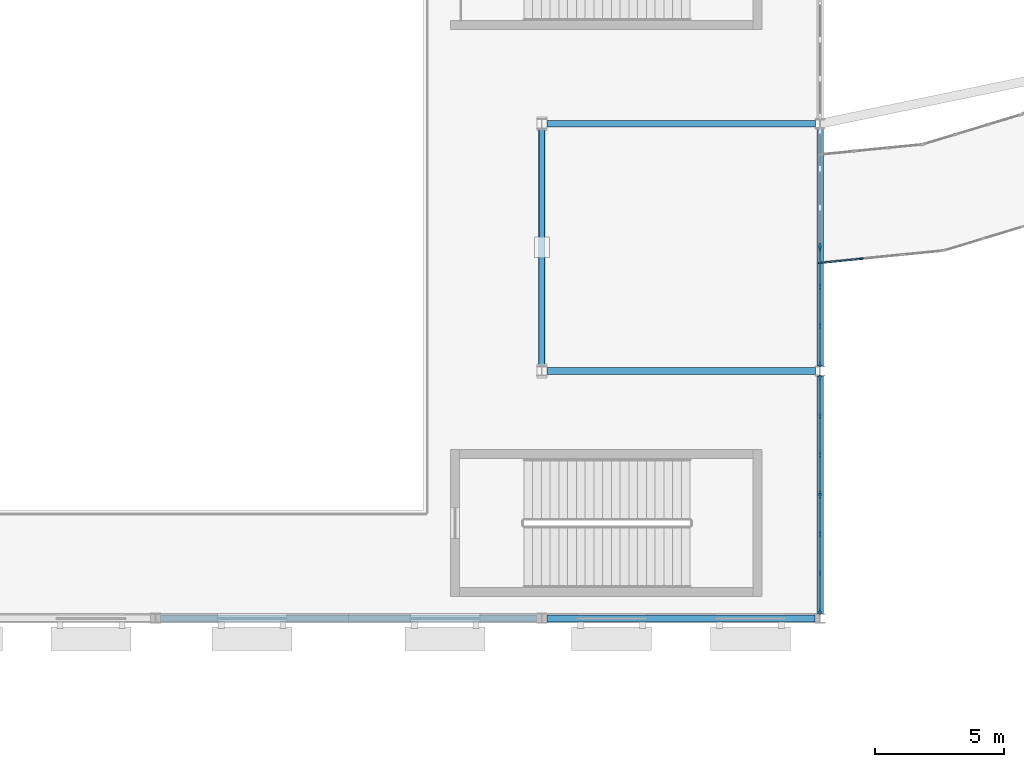
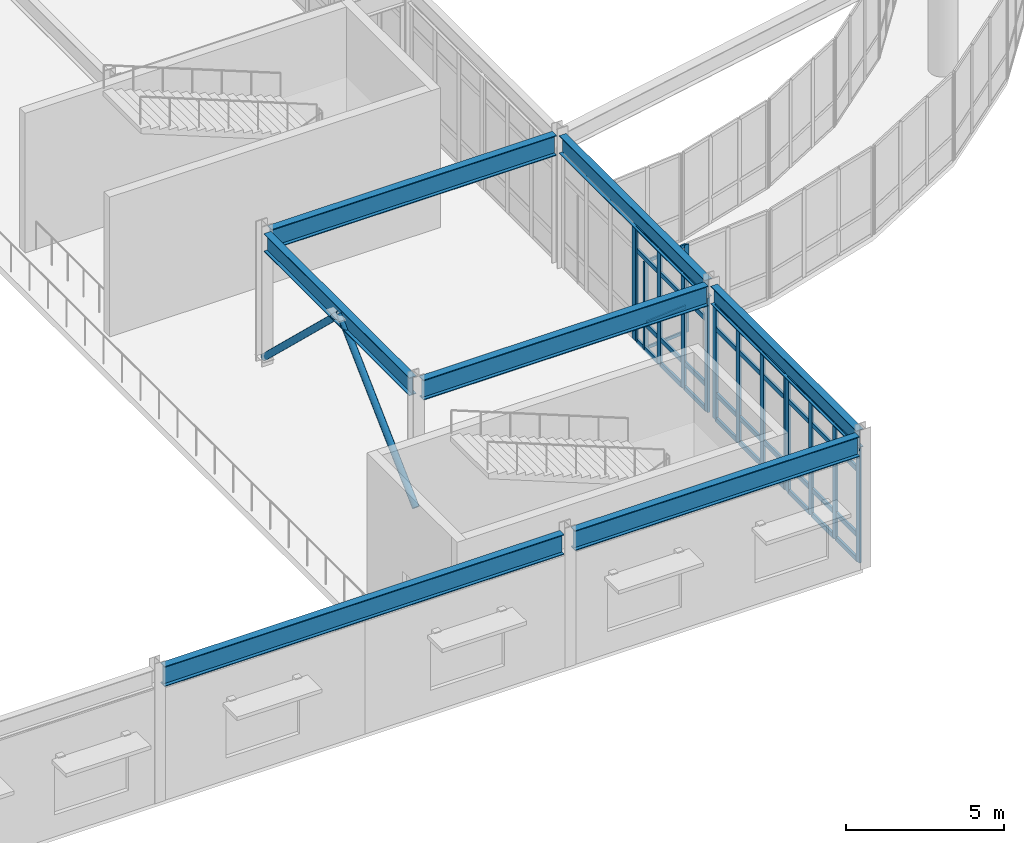
# One storey, part 16 of 72: 56 members, 7 beams, 5 elements without a shape of their own.
"""IFC4 building model written with IfcOpenShell, lengths in metres."""

from ifc_helpers import new_model, si_unit, direction, frame, origin, origin_2d, place, context, subcontext, project, spatial, rectangle, hollow_circle, i_section, extrude, material, material_profile, profile_set, type_object, element, aggregate, save


model = new_model("IFC4")

# Units and contexts
model_context = context("Model", 3, precision=1e-05, world=origin(), true_north=direction((0.0, 1.0)))
body_context = subcontext(model_context, "Body", "Model", "MODEL_VIEW")
ifc_project = project(units=[si_unit("LENGTHUNIT", "METRE"), si_unit("AREAUNIT", "SQUARE_METRE"), si_unit("VOLUMEUNIT", "CUBIC_METRE"), si_unit("PLANEANGLEUNIT", "RADIAN"), si_unit("MASSUNIT", "GRAM", prefix="KILO")], contexts=[model_context])

# Site, building, storey
site_placement = place(None, origin())
site = spatial("IfcSite", under=ifc_project, at=site_placement, CompositionType="ELEMENT")
building_placement = place(site_placement, origin())
building = spatial("IfcBuilding", under=site, at=building_placement, Name="Veldera Park Congress Hotel", CompositionType="ELEMENT")
storey_placement = place(building_placement, frame((0.0, 0.0, 5.39990234375)))
storey = spatial("IfcBuildingStorey", under=building, at=storey_placement, Name="L01", CompositionType="ELEMENT", Elevation=5.39990234375)

# Beams
ifc_material_1 = material(Name="Steel ASTM A992 Gr.50", Category="steel")
ifc_material_profile_1 = material_profile(ifc_material_1, i_section(OverallWidth=0.256103515625, OverallDepth=0.693115234375, WebThickness=0.014404296875, FlangeThickness=0.023681640625, at=origin_2d()), Name="W27X114")
ifc_profile_set_1 = profile_set([ifc_material_profile_1], Name="Steel ASTM A992 Gr.50")
beam_type_1 = type_object("IfcBeamType", Name="BM-W27", PredefinedType="BEAM", material=ifc_profile_set_1)
beam_1_placement = place(storey_placement, frame((-12.39990234375, -11.200439453125, 4.78369140625), z_axis=(0.0, 1.0, 0.0), x_axis=(-1.0, 0.0, 0.0)))
element("IfcBeam", 1, at=beam_1_placement, inside=storey, type_object=beam_type_1, Name="L01 Girder BM-W27 694", PredefinedType="BEAM", context=body_context, shape_type="SweptSolid", body=[
    extrude(i_section(OverallWidth=0.256103515625, OverallDepth=0.693115234375, WebThickness=0.014404296875, FlangeThickness=0.023681640625, at=origin_2d()), origin(), (0.0, 0.0, 1.0), 9.200927734375),
])
beam_2_placement = place(storey_placement, frame((-1.60009765625, -20.8125, 4.78369140625), z_axis=(0.0, 1.0, 0.0), x_axis=(-1.0, 0.0, 0.0)))
element("IfcBeam", 2, at=beam_2_placement, inside=storey, type_object=beam_type_1, Name="L01 Girder BM-W27 700", PredefinedType="BEAM", context=body_context, shape_type="SweptSolid", body=[
    extrude(i_section(OverallWidth=0.256103515625, OverallDepth=0.693115234375, WebThickness=0.014404296875, FlangeThickness=0.023681640625, at=origin_2d()), origin(), (0.0, 0.0, 1.0), 9.2265625),
])
beam_3_placement = place(storey_placement, frame((-1.60009765625, -11.214111328125, 4.78369140625), z_axis=(0.0, 1.0, 0.0), x_axis=(-1.0, 0.0, 0.0)))
element("IfcBeam", 3, at=beam_3_placement, inside=storey, type_object=beam_type_1, Name="L01 Girder BM-W27 701", PredefinedType="BEAM", context=body_context, shape_type="SweptSolid", body=[
    extrude(i_section(OverallWidth=0.256103515625, OverallDepth=0.693115234375, WebThickness=0.014404296875, FlangeThickness=0.023681640625, at=origin_2d()), origin(), (0.0, 0.0, 1.0), 9.22802734375),
])
ifc_material_profile_2 = material_profile(ifc_material_1, i_section(OverallWidth=0.26708984375, OverallDepth=0.779052734375, WebThickness=0.0166015625, FlangeThickness=0.030029296875, at=origin_2d()), Name="W30X148")
ifc_profile_set_2 = profile_set([ifc_material_profile_2], Name="Steel ASTM A992 Gr.50")
beam_type_2 = type_object("IfcBeamType", Name="BM-W30", PredefinedType="BEAM", material=ifc_profile_set_2)
beam_4_placement = place(storey_placement, frame((-27.201904296875, -21.0, 4.740478515625), z_axis=(1.0, 0.0, 0.0), x_axis=(0.0, 1.0, 0.0)))
element("IfcBeam", 4, at=beam_4_placement, inside=storey, type_object=beam_type_2, Name="L01 Girder BM-W30 575", PredefinedType="BEAM", context=body_context, shape_type="SweptSolid", body=[
    extrude(i_section(OverallWidth=0.26708984375, OverallDepth=0.779052734375, WebThickness=0.0166015625, FlangeThickness=0.030029296875, at=origin_2d()), origin(), (0.0, 0.0, 1.0), 14.601318359375),
])
beam_5_placement = place(storey_placement, frame((-12.199462890625, -21.0, 4.740478515625), z_axis=(1.0, 0.0, 0.0), x_axis=(0.0, 1.0, 0.0)))
element("IfcBeam", 5, at=beam_5_placement, inside=storey, type_object=beam_type_2, Name="L01 Girder BM-W30 576", PredefinedType="BEAM", context=body_context, shape_type="SweptSolid", body=[
    extrude(i_section(OverallWidth=0.26708984375, OverallDepth=0.779052734375, WebThickness=0.0166015625, FlangeThickness=0.030029296875, at=origin_2d()), origin(), (0.0, 0.0, 1.0), 10.40234375),
])
for number, where, z_axis, x_axis, name in (
    (6, (-12.199462890625, -11.39990234375, 4.740478515625), (1.0, 0.0, 0.0), (0.0, 1.0, 0.0), "L01 Girder BM-W30 582"),
    (7, (-12.199462890625, -1.800048828125, 4.740478515625), (1.0, 0.0, 0.0), (0.0, 1.0, 0.0), "L01 Girder BM-W30 586"),
):
    element("IfcBeam", number, at=place(storey_placement, frame(where, z_axis=z_axis, x_axis=x_axis)), inside=storey, type_object=beam_type_2, Name=name, PredefinedType="BEAM", context=body_context, shape_type="SweptSolid", body=[
        extrude(i_section(OverallWidth=0.26708984375, OverallDepth=0.779052734375, WebThickness=0.0166015625, FlangeThickness=0.030029296875, at=origin_2d()), origin(), (0.0, 0.0, 1.0), 10.412353515625),
    ])

# Members
ifc_material_2 = material(Name="Steel ASTM A500 Gr.C", Category="steel")
ifc_material_profile_3 = material_profile(ifc_material_2, hollow_circle(Radius=0.122314453125, WallThickness=0.012451171875, at=origin_2d()), Name="CHS 244.5x12.5")
ifc_profile_set_3 = profile_set([ifc_material_profile_3], Name="Steel ASTM A500 Gr.C")
member_type_1 = type_object("IfcMemberType", Name="BRC-CHS244", PredefinedType="BRACE", material=ifc_profile_set_3)
member_1_placement = place(storey_placement, frame((-12.39990234375, -11.39990234375, 0.2001953125), z_axis=(0.0, 0.723215224939, 0.690622717854), x_axis=(-1.0, 0.0, 0.0)))
element("IfcMember", 8, at=member_1_placement, inside=storey, type_object=member_type_1, Name="L01 Chevron Brace 10A", PredefinedType="BRACE", context=body_context, shape_type="SweptSolid", body=[
    extrude(hollow_circle(Radius=0.122314453125, WallThickness=0.012451171875, at=origin_2d()), origin(), (0.0, 0.0, 1.0), 6.63671875),
])
member_2_placement = place(storey_placement, frame((-12.39990234375, -1.800048828125, 0.2001953125), z_axis=(0.0, -0.72323276974, 0.690604344596), x_axis=(1.0, 0.0, 0.0)))
element("IfcMember", 9, at=member_2_placement, inside=storey, type_object=member_type_1, Name="L01 Chevron Brace 10B", PredefinedType="BRACE", context=body_context, shape_type="SweptSolid", body=[
    extrude(hollow_circle(Radius=0.122314453125, WallThickness=0.012451171875, at=origin_2d()), origin(), (0.0, 0.0, 1.0), 6.636962890625),
])

# Curtain wall, members
ifc_material_3 = material(Name="Low-E Triple Insulating Glass Unit (SHGC 0.22)", Category="glass")
curtain_wall_type_1 = type_object("IfcCurtainWallType", Name="CW-BRG", PredefinedType="NOTDEFINED", material=ifc_material_3)
curtain_wall_1_placement = place(storey_placement, origin())
curtain_wall_1 = element("IfcCurtainWall", 10, at=curtain_wall_1_placement, inside=storey, type_object=curtain_wall_type_1, Name="L01 Curtain Wall CW3-BRGW-L01-A00", PredefinedType="NOTDEFINED")
ifc_material_4 = material(Name="Anodised Aluminium Alloy 6063-T6", Category="aluminium")
ifc_material_profile_4 = material_profile(ifc_material_4, rectangle(XDim=0.06005859375, YDim=0.159912109375, at=origin_2d()), Name="ALU 60x160")
ifc_profile_set_4 = profile_set([ifc_material_profile_4], Name="Anodised Aluminium Alloy 6063-T6")
member_type_2 = type_object("IfcMemberType", Name="CWM-160", PredefinedType="MULLION", material=ifc_profile_set_4)
member_3_placement = place(storey_placement, frame((-1.570068359375, -7.197021484375, 0.0), z_axis=(0.0, 0.0, 1.0), x_axis=(-0.098021259481, 0.995184320963, 0.0)))
member_3 = element("IfcMember", 11, at=member_3_placement, type_object=member_type_2, Name="CW-BRG mullion 1", PredefinedType="MULLION", context=body_context, shape_type="SweptSolid", body=[
    extrude(rectangle(XDim=0.06005859375, YDim=0.159912109375, at=origin_2d()), origin(), (0.0, 0.0, 1.0), 3.400146484375),
])
member_4_placement = place(storey_placement, frame((-0.000244140625, -7.04248046875, 0.0), z_axis=(0.0, 0.0, 1.0), x_axis=(-0.098021259481, 0.995184320963, 0.0)))
member_4 = element("IfcMember", 12, at=member_4_placement, type_object=member_type_2, Name="CW-BRG mullion 2", PredefinedType="MULLION", context=body_context, shape_type="SweptSolid", body=[
    extrude(rectangle(XDim=0.06005859375, YDim=0.159912109375, at=origin_2d()), origin(), (0.0, 0.0, 1.0), 3.400146484375),
])

curtain_wall_type_2 = type_object("IfcCurtainWallType", Name="CW-POD", PredefinedType="NOTDEFINED", material=ifc_material_3)
curtain_wall_2_placement = place(storey_placement, origin())
curtain_wall_2 = element("IfcCurtainWall", 13, at=curtain_wall_2_placement, inside=storey, type_object=curtain_wall_type_2, Name="L01 Curtain Wall CW3-V1E-L01-021", PredefinedType="NOTDEFINED")
ifc_material_profile_5 = material_profile(ifc_material_4, rectangle(XDim=0.080078125, YDim=0.219970703125, at=origin_2d()), Name="ALU 80x220")
ifc_profile_set_5 = profile_set([ifc_material_profile_5], Name="Anodised Aluminium Alloy 6063-T6")
member_type_3 = type_object("IfcMemberType", Name="CWM-220", PredefinedType="MULLION", material=ifc_profile_set_5)
member_5_placement = place(storey_placement, frame((-1.60009765625, -20.732421875, 0.0), z_axis=(0.0, 0.0, 1.0), x_axis=(-1.0, 0.0, 0.0)))
member_5 = element("IfcMember", 14, at=member_5_placement, type_object=member_type_3, Name="CW-POD mullion 1", PredefinedType="MULLION", context=body_context, shape_type="SweptSolid", body=[
    extrude(rectangle(XDim=0.080078125, YDim=0.219970703125, at=origin_2d()), origin(), (0.0, 0.0, 1.0), 4.43212890625),
])
member_6_placement = place(storey_placement, frame((-1.60009765625, -19.253173828125, 0.0), z_axis=(0.0, 0.0, 1.0), x_axis=(-1.0, 0.0, 0.0)))
member_6 = element("IfcMember", 15, at=member_6_placement, type_object=member_type_3, Name="CW-POD mullion 2", PredefinedType="MULLION", context=body_context, shape_type="SweptSolid", body=[
    extrude(rectangle(XDim=0.080078125, YDim=0.219970703125, at=origin_2d()), origin(), (0.0, 0.0, 1.0), 4.43212890625),
])
member_7_placement = place(storey_placement, frame((-1.60009765625, -17.733642578125, 0.0), z_axis=(0.0, 0.0, 1.0), x_axis=(-1.0, 0.0, 0.0)))
member_7 = element("IfcMember", 16, at=member_7_placement, type_object=member_type_3, Name="CW-POD mullion 3", PredefinedType="MULLION", context=body_context, shape_type="SweptSolid", body=[
    extrude(rectangle(XDim=0.080078125, YDim=0.219970703125, at=origin_2d()), origin(), (0.0, 0.0, 1.0), 4.43212890625),
])
member_8_placement = place(storey_placement, frame((-1.60009765625, -16.254150390625, 0.0), z_axis=(0.0, 0.0, 1.0), x_axis=(-1.0, 0.0, 0.0)))
member_8 = element("IfcMember", 17, at=member_8_placement, type_object=member_type_3, Name="CW-POD mullion 4", PredefinedType="MULLION", context=body_context, shape_type="SweptSolid", body=[
    extrude(rectangle(XDim=0.080078125, YDim=0.219970703125, at=origin_2d()), origin(), (0.0, 0.0, 1.0), 4.43212890625),
])

curtain_wall_3_placement = place(storey_placement, origin())
curtain_wall_3 = element("IfcCurtainWall", 18, at=curtain_wall_3_placement, inside=storey, type_object=curtain_wall_type_2, Name="L01 Curtain Wall CW3-V1E-L01-022", PredefinedType="NOTDEFINED")
member_9_placement = place(storey_placement, frame((-1.60009765625, -16.144287109375, 0.0), z_axis=(0.0, 0.0, 1.0), x_axis=(-1.0, 0.0, 0.0)))
member_9 = element("IfcMember", 19, at=member_9_placement, type_object=member_type_3, Name="CW-POD mullion 1", PredefinedType="MULLION", context=body_context, shape_type="SweptSolid", body=[
    extrude(rectangle(XDim=0.080078125, YDim=0.219970703125, at=origin_2d()), origin(), (0.0, 0.0, 1.0), 4.43212890625),
])
member_10_placement = place(storey_placement, frame((-1.60009765625, -14.664794921875, 0.0), z_axis=(0.0, 0.0, 1.0), x_axis=(-1.0, 0.0, 0.0)))
member_10 = element("IfcMember", 20, at=member_10_placement, type_object=member_type_3, Name="CW-POD mullion 2", PredefinedType="MULLION", context=body_context, shape_type="SweptSolid", body=[
    extrude(rectangle(XDim=0.080078125, YDim=0.219970703125, at=origin_2d()), origin(), (0.0, 0.0, 1.0), 4.43212890625),
])
member_11_placement = place(storey_placement, frame((-1.60009765625, -13.1455078125, 0.0), z_axis=(0.0, 0.0, 1.0), x_axis=(-1.0, 0.0, 0.0)))
member_11 = element("IfcMember", 21, at=member_11_placement, type_object=member_type_3, Name="CW-POD mullion 3", PredefinedType="MULLION", context=body_context, shape_type="SweptSolid", body=[
    extrude(rectangle(XDim=0.080078125, YDim=0.219970703125, at=origin_2d()), origin(), (0.0, 0.0, 1.0), 4.43212890625),
])
member_12_placement = place(storey_placement, frame((-1.60009765625, -11.666015625, 0.0), z_axis=(0.0, 0.0, 1.0), x_axis=(-1.0, 0.0, 0.0)))
member_12 = element("IfcMember", 22, at=member_12_placement, type_object=member_type_3, Name="CW-POD mullion 4", PredefinedType="MULLION", context=body_context, shape_type="SweptSolid", body=[
    extrude(rectangle(XDim=0.080078125, YDim=0.219970703125, at=origin_2d()), origin(), (0.0, 0.0, 1.0), 4.43212890625),
])

curtain_wall_4_placement = place(storey_placement, origin())
curtain_wall_4 = element("IfcCurtainWall", 23, at=curtain_wall_4_placement, inside=storey, type_object=curtain_wall_type_2, Name="L01 Curtain Wall CW3-V1E-L01-023", PredefinedType="NOTDEFINED")
member_13_placement = place(storey_placement, frame((-1.60009765625, -11.134033203125, 0.0), z_axis=(0.0, 0.0, 1.0), x_axis=(-1.0, 0.0, 0.0)))
member_13 = element("IfcMember", 24, at=member_13_placement, type_object=member_type_3, Name="CW-POD mullion 1", PredefinedType="MULLION", context=body_context, shape_type="SweptSolid", body=[
    extrude(rectangle(XDim=0.080078125, YDim=0.219970703125, at=origin_2d()), origin(), (0.0, 0.0, 1.0), 4.43212890625),
])
member_14_placement = place(storey_placement, frame((-1.60009765625, -9.654296875, 0.0), z_axis=(0.0, 0.0, 1.0), x_axis=(-1.0, 0.0, 0.0)))
member_14 = element("IfcMember", 25, at=member_14_placement, type_object=member_type_3, Name="CW-POD mullion 2", PredefinedType="MULLION", context=body_context, shape_type="SweptSolid", body=[
    extrude(rectangle(XDim=0.080078125, YDim=0.219970703125, at=origin_2d()), origin(), (0.0, 0.0, 1.0), 4.43212890625),
])
member_15_placement = place(storey_placement, frame((-1.60009765625, -8.134765625, 0.0), z_axis=(0.0, 0.0, 1.0), x_axis=(-1.0, 0.0, 0.0)))
member_15 = element("IfcMember", 26, at=member_15_placement, type_object=member_type_3, Name="CW-POD mullion 3", PredefinedType="MULLION", context=body_context, shape_type="SweptSolid", body=[
    extrude(rectangle(XDim=0.080078125, YDim=0.219970703125, at=origin_2d()), origin(), (0.0, 0.0, 1.0), 4.43212890625),
])
member_16_placement = place(storey_placement, frame((-1.60009765625, -6.655029296875, 0.0), z_axis=(0.0, 0.0, 1.0), x_axis=(-1.0, 0.0, 0.0)))
member_16 = element("IfcMember", 27, at=member_16_placement, type_object=member_type_3, Name="CW-POD mullion 4", PredefinedType="MULLION", context=body_context, shape_type="SweptSolid", body=[
    extrude(rectangle(XDim=0.080078125, YDim=0.219970703125, at=origin_2d()), origin(), (0.0, 0.0, 1.0), 4.43212890625),
])

# Curtain wall, member
curtain_wall_5_placement = place(storey_placement, origin())
curtain_wall_5 = element("IfcCurtainWall", 28, at=curtain_wall_5_placement, inside=storey, type_object=curtain_wall_type_2, Name="L01 Curtain Wall CW3-V1E-L01-024", PredefinedType="NOTDEFINED")
member_17_placement = place(storey_placement, frame((-1.60009765625, -6.544921875, 0.0), z_axis=(0.0, 0.0, 1.0), x_axis=(-1.0, 0.0, 0.0)))
member_17 = element("IfcMember", 29, at=member_17_placement, type_object=member_type_3, Name="CW-POD mullion 1", PredefinedType="MULLION", context=body_context, shape_type="SweptSolid", body=[
    extrude(rectangle(XDim=0.080078125, YDim=0.219970703125, at=origin_2d()), origin(), (0.0, 0.0, 1.0), 4.43212890625),
])
aggregate(curtain_wall_5, [member_17])

# Member
ifc_material_profile_6 = material_profile(ifc_material_4, rectangle(XDim=0.06005859375, YDim=0.1201171875, at=origin_2d()), Name="ALU 60x120")
ifc_profile_set_6 = profile_set([ifc_material_profile_6], Name="Anodised Aluminium Alloy 6063-T6")
member_type_4 = type_object("IfcMemberType", Name="CWT-120", PredefinedType="USERDEFINED", material=ifc_profile_set_6)
member_18_placement = place(storey_placement, frame((-1.540283203125, -7.194091796875, 0.030029296875), z_axis=(0.99518892863, 0.097974467756, 0.0), x_axis=(-0.097974467756, 0.99518892863, 0.0)))
member_18 = element("IfcMember", 30, at=member_18_placement, type_object=member_type_4, Name="CW-BRG transom 1.1", ObjectType="TRANSOM", PredefinedType="USERDEFINED", context=body_context, shape_type="SweptSolid", body=[
    extrude(rectangle(XDim=0.06005859375, YDim=0.1201171875, at=origin_2d()), origin(), (0.0, 0.0, 1.0), 1.517578125),
])

member_19_placement = place(storey_placement, frame((-1.540283203125, -7.194091796875, 1.0), z_axis=(0.99518892863, 0.097974467756, 0.0), x_axis=(-0.097974467756, 0.99518892863, 0.0)))
member_19 = element("IfcMember", 31, at=member_19_placement, type_object=member_type_4, Name="CW-BRG transom 1.2", ObjectType="TRANSOM", PredefinedType="USERDEFINED", context=body_context, shape_type="SweptSolid", body=[
    extrude(rectangle(XDim=0.06005859375, YDim=0.1201171875, at=origin_2d()), origin(), (0.0, 0.0, 1.0), 1.517578125),
])

member_20_placement = place(storey_placement, frame((-1.540283203125, -7.194091796875, 3.3701171875), z_axis=(0.99518892863, 0.097974467756, 0.0), x_axis=(-0.097974467756, 0.99518892863, 0.0)))
member_20 = element("IfcMember", 32, at=member_20_placement, type_object=member_type_4, Name="CW-BRG transom 1.3", ObjectType="TRANSOM", PredefinedType="USERDEFINED", context=body_context, shape_type="SweptSolid", body=[
    extrude(rectangle(XDim=0.06005859375, YDim=0.1201171875, at=origin_2d()), origin(), (0.0, 0.0, 1.0), 1.517578125),
])

aggregate(curtain_wall_1, [member_3, member_4, member_18, member_19, member_20])

ifc_material_profile_7 = material_profile(ifc_material_4, rectangle(XDim=0.080078125, YDim=0.179931640625, at=origin_2d()), Name="ALU 80x180")
ifc_profile_set_7 = profile_set([ifc_material_profile_7], Name="Anodised Aluminium Alloy 6063-T6")
member_type_5 = type_object("IfcMemberType", Name="CWT-180", PredefinedType="USERDEFINED", material=ifc_profile_set_7)
member_21_placement = place(storey_placement, frame((-1.60009765625, -20.6923828125, 0.0400390625), z_axis=(0.0, 1.0, 0.0), x_axis=(-1.0, 0.0, 0.0)))
member_21 = element("IfcMember", 33, at=member_21_placement, type_object=member_type_5, Name="CW-POD transom 1.1", ObjectType="TRANSOM", PredefinedType="USERDEFINED", context=body_context, shape_type="SweptSolid", body=[
    extrude(rectangle(XDim=0.080078125, YDim=0.179931640625, at=origin_2d()), origin(), (0.0, 0.0, 1.0), 1.3994140625),
])

member_22_placement = place(storey_placement, frame((-1.60009765625, -20.6923828125, 1.0), z_axis=(0.0, 1.0, 0.0), x_axis=(-1.0, 0.0, 0.0)))
member_22 = element("IfcMember", 34, at=member_22_placement, type_object=member_type_5, Name="CW-POD transom 1.2", ObjectType="TRANSOM", PredefinedType="USERDEFINED", context=body_context, shape_type="SweptSolid", body=[
    extrude(rectangle(XDim=0.080078125, YDim=0.179931640625, at=origin_2d()), origin(), (0.0, 0.0, 1.0), 1.3994140625),
])

member_23_placement = place(storey_placement, frame((-1.60009765625, -20.6923828125, 3.531982421875), z_axis=(0.0, 1.0, 0.0), x_axis=(-1.0, 0.0, 0.0)))
member_23 = element("IfcMember", 35, at=member_23_placement, type_object=member_type_5, Name="CW-POD transom 1.3", ObjectType="TRANSOM", PredefinedType="USERDEFINED", context=body_context, shape_type="SweptSolid", body=[
    extrude(rectangle(XDim=0.080078125, YDim=0.179931640625, at=origin_2d()), origin(), (0.0, 0.0, 1.0), 1.3994140625),
])

member_24_placement = place(storey_placement, frame((-1.60009765625, -20.6923828125, 4.39208984375), z_axis=(0.0, 1.0, 0.0), x_axis=(-1.0, 0.0, 0.0)))
member_24 = element("IfcMember", 36, at=member_24_placement, type_object=member_type_5, Name="CW-POD transom 1.4", ObjectType="TRANSOM", PredefinedType="USERDEFINED", context=body_context, shape_type="SweptSolid", body=[
    extrude(rectangle(XDim=0.080078125, YDim=0.179931640625, at=origin_2d()), origin(), (0.0, 0.0, 1.0), 1.3994140625),
])

member_25_placement = place(storey_placement, frame((-1.60009765625, -19.213134765625, 0.0400390625), z_axis=(0.0, 1.0, 0.0), x_axis=(-1.0, 0.0, 0.0)))
member_25 = element("IfcMember", 37, at=member_25_placement, type_object=member_type_5, Name="CW-POD transom 2.1", ObjectType="TRANSOM", PredefinedType="USERDEFINED", context=body_context, shape_type="SweptSolid", body=[
    extrude(rectangle(XDim=0.080078125, YDim=0.179931640625, at=origin_2d()), origin(), (0.0, 0.0, 1.0), 1.439453125),
])

member_26_placement = place(storey_placement, frame((-1.60009765625, -19.213134765625, 1.0), z_axis=(0.0, 1.0, 0.0), x_axis=(-1.0, 0.0, 0.0)))
member_26 = element("IfcMember", 38, at=member_26_placement, type_object=member_type_5, Name="CW-POD transom 2.2", ObjectType="TRANSOM", PredefinedType="USERDEFINED", context=body_context, shape_type="SweptSolid", body=[
    extrude(rectangle(XDim=0.080078125, YDim=0.179931640625, at=origin_2d()), origin(), (0.0, 0.0, 1.0), 1.439453125),
])

member_27_placement = place(storey_placement, frame((-1.60009765625, -19.213134765625, 3.531982421875), z_axis=(0.0, 1.0, 0.0), x_axis=(-1.0, 0.0, 0.0)))
member_27 = element("IfcMember", 39, at=member_27_placement, type_object=member_type_5, Name="CW-POD transom 2.3", ObjectType="TRANSOM", PredefinedType="USERDEFINED", context=body_context, shape_type="SweptSolid", body=[
    extrude(rectangle(XDim=0.080078125, YDim=0.179931640625, at=origin_2d()), origin(), (0.0, 0.0, 1.0), 1.439453125),
])

member_28_placement = place(storey_placement, frame((-1.60009765625, -19.213134765625, 4.39208984375), z_axis=(0.0, 1.0, 0.0), x_axis=(-1.0, 0.0, 0.0)))
member_28 = element("IfcMember", 40, at=member_28_placement, type_object=member_type_5, Name="CW-POD transom 2.4", ObjectType="TRANSOM", PredefinedType="USERDEFINED", context=body_context, shape_type="SweptSolid", body=[
    extrude(rectangle(XDim=0.080078125, YDim=0.179931640625, at=origin_2d()), origin(), (0.0, 0.0, 1.0), 1.439453125),
])

member_29_placement = place(storey_placement, frame((-1.60009765625, -17.693603515625, 0.0400390625), z_axis=(0.0, 1.0, 0.0), x_axis=(-1.0, 0.0, 0.0)))
member_29 = element("IfcMember", 41, at=member_29_placement, type_object=member_type_5, Name="CW-POD transom 3.1", ObjectType="TRANSOM", PredefinedType="USERDEFINED", context=body_context, shape_type="SweptSolid", body=[
    extrude(rectangle(XDim=0.080078125, YDim=0.179931640625, at=origin_2d()), origin(), (0.0, 0.0, 1.0), 1.3994140625),
])

member_30_placement = place(storey_placement, frame((-1.60009765625, -17.693603515625, 1.0), z_axis=(0.0, 1.0, 0.0), x_axis=(-1.0, 0.0, 0.0)))
member_30 = element("IfcMember", 42, at=member_30_placement, type_object=member_type_5, Name="CW-POD transom 3.2", ObjectType="TRANSOM", PredefinedType="USERDEFINED", context=body_context, shape_type="SweptSolid", body=[
    extrude(rectangle(XDim=0.080078125, YDim=0.179931640625, at=origin_2d()), origin(), (0.0, 0.0, 1.0), 1.3994140625),
])

member_31_placement = place(storey_placement, frame((-1.60009765625, -17.693603515625, 3.531982421875), z_axis=(0.0, 1.0, 0.0), x_axis=(-1.0, 0.0, 0.0)))
member_31 = element("IfcMember", 43, at=member_31_placement, type_object=member_type_5, Name="CW-POD transom 3.3", ObjectType="TRANSOM", PredefinedType="USERDEFINED", context=body_context, shape_type="SweptSolid", body=[
    extrude(rectangle(XDim=0.080078125, YDim=0.179931640625, at=origin_2d()), origin(), (0.0, 0.0, 1.0), 1.3994140625),
])

member_32_placement = place(storey_placement, frame((-1.60009765625, -17.693603515625, 4.39208984375), z_axis=(0.0, 1.0, 0.0), x_axis=(-1.0, 0.0, 0.0)))
member_32 = element("IfcMember", 44, at=member_32_placement, type_object=member_type_5, Name="CW-POD transom 3.4", ObjectType="TRANSOM", PredefinedType="USERDEFINED", context=body_context, shape_type="SweptSolid", body=[
    extrude(rectangle(XDim=0.080078125, YDim=0.179931640625, at=origin_2d()), origin(), (0.0, 0.0, 1.0), 1.3994140625),
])

aggregate(curtain_wall_2, [member_5, member_6, member_7, member_8, member_21, member_22, member_23, member_24, member_25, member_26, member_27, member_28, member_29, member_30, member_31, member_32])

member_33_placement = place(storey_placement, frame((-1.60009765625, -16.104248046875, 0.0400390625), z_axis=(0.0, 1.0, 0.0), x_axis=(-1.0, 0.0, 0.0)))
member_33 = element("IfcMember", 45, at=member_33_placement, type_object=member_type_5, Name="CW-POD transom 1.1", ObjectType="TRANSOM", PredefinedType="USERDEFINED", context=body_context, shape_type="SweptSolid", body=[
    extrude(rectangle(XDim=0.080078125, YDim=0.179931640625, at=origin_2d()), origin(), (0.0, 0.0, 1.0), 1.3994140625),
])

member_34_placement = place(storey_placement, frame((-1.60009765625, -16.104248046875, 1.0), z_axis=(0.0, 1.0, 0.0), x_axis=(-1.0, 0.0, 0.0)))
member_34 = element("IfcMember", 46, at=member_34_placement, type_object=member_type_5, Name="CW-POD transom 1.2", ObjectType="TRANSOM", PredefinedType="USERDEFINED", context=body_context, shape_type="SweptSolid", body=[
    extrude(rectangle(XDim=0.080078125, YDim=0.179931640625, at=origin_2d()), origin(), (0.0, 0.0, 1.0), 1.3994140625),
])

member_35_placement = place(storey_placement, frame((-1.60009765625, -16.104248046875, 3.531982421875), z_axis=(0.0, 1.0, 0.0), x_axis=(-1.0, 0.0, 0.0)))
member_35 = element("IfcMember", 47, at=member_35_placement, type_object=member_type_5, Name="CW-POD transom 1.3", ObjectType="TRANSOM", PredefinedType="USERDEFINED", context=body_context, shape_type="SweptSolid", body=[
    extrude(rectangle(XDim=0.080078125, YDim=0.179931640625, at=origin_2d()), origin(), (0.0, 0.0, 1.0), 1.3994140625),
])

member_36_placement = place(storey_placement, frame((-1.60009765625, -16.104248046875, 4.39208984375), z_axis=(0.0, 1.0, 0.0), x_axis=(-1.0, 0.0, 0.0)))
member_36 = element("IfcMember", 48, at=member_36_placement, type_object=member_type_5, Name="CW-POD transom 1.4", ObjectType="TRANSOM", PredefinedType="USERDEFINED", context=body_context, shape_type="SweptSolid", body=[
    extrude(rectangle(XDim=0.080078125, YDim=0.179931640625, at=origin_2d()), origin(), (0.0, 0.0, 1.0), 1.3994140625),
])

member_37_placement = place(storey_placement, frame((-1.60009765625, -14.624755859375, 0.0400390625), z_axis=(0.0, 1.0, 0.0), x_axis=(-1.0, 0.0, 0.0)))
member_37 = element("IfcMember", 49, at=member_37_placement, type_object=member_type_5, Name="CW-POD transom 2.1", ObjectType="TRANSOM", PredefinedType="USERDEFINED", context=body_context, shape_type="SweptSolid", body=[
    extrude(rectangle(XDim=0.080078125, YDim=0.179931640625, at=origin_2d()), origin(), (0.0, 0.0, 1.0), 1.439208984375),
])

member_38_placement = place(storey_placement, frame((-1.60009765625, -14.624755859375, 1.0), z_axis=(0.0, 1.0, 0.0), x_axis=(-1.0, 0.0, 0.0)))
member_38 = element("IfcMember", 50, at=member_38_placement, type_object=member_type_5, Name="CW-POD transom 2.2", ObjectType="TRANSOM", PredefinedType="USERDEFINED", context=body_context, shape_type="SweptSolid", body=[
    extrude(rectangle(XDim=0.080078125, YDim=0.179931640625, at=origin_2d()), origin(), (0.0, 0.0, 1.0), 1.439208984375),
])

member_39_placement = place(storey_placement, frame((-1.60009765625, -14.624755859375, 3.531982421875), z_axis=(0.0, 1.0, 0.0), x_axis=(-1.0, 0.0, 0.0)))
member_39 = element("IfcMember", 51, at=member_39_placement, type_object=member_type_5, Name="CW-POD transom 2.3", ObjectType="TRANSOM", PredefinedType="USERDEFINED", context=body_context, shape_type="SweptSolid", body=[
    extrude(rectangle(XDim=0.080078125, YDim=0.179931640625, at=origin_2d()), origin(), (0.0, 0.0, 1.0), 1.439208984375),
])

member_40_placement = place(storey_placement, frame((-1.60009765625, -14.624755859375, 4.39208984375), z_axis=(0.0, 1.0, 0.0), x_axis=(-1.0, 0.0, 0.0)))
member_40 = element("IfcMember", 52, at=member_40_placement, type_object=member_type_5, Name="CW-POD transom 2.4", ObjectType="TRANSOM", PredefinedType="USERDEFINED", context=body_context, shape_type="SweptSolid", body=[
    extrude(rectangle(XDim=0.080078125, YDim=0.179931640625, at=origin_2d()), origin(), (0.0, 0.0, 1.0), 1.439208984375),
])

member_41_placement = place(storey_placement, frame((-1.60009765625, -13.10546875, 0.0400390625), z_axis=(0.0, 1.0, 0.0), x_axis=(-1.0, 0.0, 0.0)))
member_41 = element("IfcMember", 53, at=member_41_placement, type_object=member_type_5, Name="CW-POD transom 3.1", ObjectType="TRANSOM", PredefinedType="USERDEFINED", context=body_context, shape_type="SweptSolid", body=[
    extrude(rectangle(XDim=0.080078125, YDim=0.179931640625, at=origin_2d()), origin(), (0.0, 0.0, 1.0), 1.3994140625),
])

member_42_placement = place(storey_placement, frame((-1.60009765625, -13.10546875, 1.0), z_axis=(0.0, 1.0, 0.0), x_axis=(-1.0, 0.0, 0.0)))
member_42 = element("IfcMember", 54, at=member_42_placement, type_object=member_type_5, Name="CW-POD transom 3.2", ObjectType="TRANSOM", PredefinedType="USERDEFINED", context=body_context, shape_type="SweptSolid", body=[
    extrude(rectangle(XDim=0.080078125, YDim=0.179931640625, at=origin_2d()), origin(), (0.0, 0.0, 1.0), 1.3994140625),
])

member_43_placement = place(storey_placement, frame((-1.60009765625, -13.10546875, 3.531982421875), z_axis=(0.0, 1.0, 0.0), x_axis=(-1.0, 0.0, 0.0)))
member_43 = element("IfcMember", 55, at=member_43_placement, type_object=member_type_5, Name="CW-POD transom 3.3", ObjectType="TRANSOM", PredefinedType="USERDEFINED", context=body_context, shape_type="SweptSolid", body=[
    extrude(rectangle(XDim=0.080078125, YDim=0.179931640625, at=origin_2d()), origin(), (0.0, 0.0, 1.0), 1.3994140625),
])

member_44_placement = place(storey_placement, frame((-1.60009765625, -13.10546875, 4.39208984375), z_axis=(0.0, 1.0, 0.0), x_axis=(-1.0, 0.0, 0.0)))
member_44 = element("IfcMember", 56, at=member_44_placement, type_object=member_type_5, Name="CW-POD transom 3.4", ObjectType="TRANSOM", PredefinedType="USERDEFINED", context=body_context, shape_type="SweptSolid", body=[
    extrude(rectangle(XDim=0.080078125, YDim=0.179931640625, at=origin_2d()), origin(), (0.0, 0.0, 1.0), 1.3994140625),
])

aggregate(curtain_wall_3, [member_9, member_10, member_11, member_12, member_33, member_34, member_35, member_36, member_37, member_38, member_39, member_40, member_41, member_42, member_43, member_44])

member_45_placement = place(storey_placement, frame((-1.60009765625, -11.093994140625, 0.0400390625), z_axis=(0.0, 1.0, 0.0), x_axis=(-1.0, 0.0, 0.0)))
member_45 = element("IfcMember", 57, at=member_45_placement, type_object=member_type_5, Name="CW-POD transom 1.1", ObjectType="TRANSOM", PredefinedType="USERDEFINED", context=body_context, shape_type="SweptSolid", body=[
    extrude(rectangle(XDim=0.080078125, YDim=0.179931640625, at=origin_2d()), origin(), (0.0, 0.0, 1.0), 1.399658203125),
])

member_46_placement = place(storey_placement, frame((-1.60009765625, -11.093994140625, 1.0), z_axis=(0.0, 1.0, 0.0), x_axis=(-1.0, 0.0, 0.0)))
member_46 = element("IfcMember", 58, at=member_46_placement, type_object=member_type_5, Name="CW-POD transom 1.2", ObjectType="TRANSOM", PredefinedType="USERDEFINED", context=body_context, shape_type="SweptSolid", body=[
    extrude(rectangle(XDim=0.080078125, YDim=0.179931640625, at=origin_2d()), origin(), (0.0, 0.0, 1.0), 1.399658203125),
])

member_47_placement = place(storey_placement, frame((-1.60009765625, -11.093994140625, 3.531982421875), z_axis=(0.0, 1.0, 0.0), x_axis=(-1.0, 0.0, 0.0)))
member_47 = element("IfcMember", 59, at=member_47_placement, type_object=member_type_5, Name="CW-POD transom 1.3", ObjectType="TRANSOM", PredefinedType="USERDEFINED", context=body_context, shape_type="SweptSolid", body=[
    extrude(rectangle(XDim=0.080078125, YDim=0.179931640625, at=origin_2d()), origin(), (0.0, 0.0, 1.0), 1.399658203125),
])

member_48_placement = place(storey_placement, frame((-1.60009765625, -11.093994140625, 4.39208984375), z_axis=(0.0, 1.0, 0.0), x_axis=(-1.0, 0.0, 0.0)))
member_48 = element("IfcMember", 60, at=member_48_placement, type_object=member_type_5, Name="CW-POD transom 1.4", ObjectType="TRANSOM", PredefinedType="USERDEFINED", context=body_context, shape_type="SweptSolid", body=[
    extrude(rectangle(XDim=0.080078125, YDim=0.179931640625, at=origin_2d()), origin(), (0.0, 0.0, 1.0), 1.399658203125),
])

member_49_placement = place(storey_placement, frame((-1.60009765625, -9.6142578125, 0.0400390625), z_axis=(0.0, 1.0, 0.0), x_axis=(-1.0, 0.0, 0.0)))
member_49 = element("IfcMember", 61, at=member_49_placement, type_object=member_type_5, Name="CW-POD transom 2.1", ObjectType="TRANSOM", PredefinedType="USERDEFINED", context=body_context, shape_type="SweptSolid", body=[
    extrude(rectangle(XDim=0.080078125, YDim=0.179931640625, at=origin_2d()), origin(), (0.0, 0.0, 1.0), 1.439697265625),
])

member_50_placement = place(storey_placement, frame((-1.60009765625, -9.6142578125, 1.0), z_axis=(0.0, 1.0, 0.0), x_axis=(-1.0, 0.0, 0.0)))
member_50 = element("IfcMember", 62, at=member_50_placement, type_object=member_type_5, Name="CW-POD transom 2.2", ObjectType="TRANSOM", PredefinedType="USERDEFINED", context=body_context, shape_type="SweptSolid", body=[
    extrude(rectangle(XDim=0.080078125, YDim=0.179931640625, at=origin_2d()), origin(), (0.0, 0.0, 1.0), 1.439697265625),
])

member_51_placement = place(storey_placement, frame((-1.60009765625, -9.6142578125, 3.531982421875), z_axis=(0.0, 1.0, 0.0), x_axis=(-1.0, 0.0, 0.0)))
member_51 = element("IfcMember", 63, at=member_51_placement, type_object=member_type_5, Name="CW-POD transom 2.3", ObjectType="TRANSOM", PredefinedType="USERDEFINED", context=body_context, shape_type="SweptSolid", body=[
    extrude(rectangle(XDim=0.080078125, YDim=0.179931640625, at=origin_2d()), origin(), (0.0, 0.0, 1.0), 1.439697265625),
])

member_52_placement = place(storey_placement, frame((-1.60009765625, -9.6142578125, 4.39208984375), z_axis=(0.0, 1.0, 0.0), x_axis=(-1.0, 0.0, 0.0)))
member_52 = element("IfcMember", 64, at=member_52_placement, type_object=member_type_5, Name="CW-POD transom 2.4", ObjectType="TRANSOM", PredefinedType="USERDEFINED", context=body_context, shape_type="SweptSolid", body=[
    extrude(rectangle(XDim=0.080078125, YDim=0.179931640625, at=origin_2d()), origin(), (0.0, 0.0, 1.0), 1.439697265625),
])

member_53_placement = place(storey_placement, frame((-1.60009765625, -8.0947265625, 0.0400390625), z_axis=(0.0, 1.0, 0.0), x_axis=(-1.0, 0.0, 0.0)))
member_53 = element("IfcMember", 65, at=member_53_placement, type_object=member_type_5, Name="CW-POD transom 3.1", ObjectType="TRANSOM", PredefinedType="USERDEFINED", context=body_context, shape_type="SweptSolid", body=[
    extrude(rectangle(XDim=0.080078125, YDim=0.179931640625, at=origin_2d()), origin(), (0.0, 0.0, 1.0), 1.399658203125),
])

member_54_placement = place(storey_placement, frame((-1.60009765625, -8.0947265625, 1.0), z_axis=(0.0, 1.0, 0.0), x_axis=(-1.0, 0.0, 0.0)))
member_54 = element("IfcMember", 66, at=member_54_placement, type_object=member_type_5, Name="CW-POD transom 3.2", ObjectType="TRANSOM", PredefinedType="USERDEFINED", context=body_context, shape_type="SweptSolid", body=[
    extrude(rectangle(XDim=0.080078125, YDim=0.179931640625, at=origin_2d()), origin(), (0.0, 0.0, 1.0), 1.399658203125),
])

member_55_placement = place(storey_placement, frame((-1.60009765625, -8.0947265625, 3.531982421875), z_axis=(0.0, 1.0, 0.0), x_axis=(-1.0, 0.0, 0.0)))
member_55 = element("IfcMember", 67, at=member_55_placement, type_object=member_type_5, Name="CW-POD transom 3.3", ObjectType="TRANSOM", PredefinedType="USERDEFINED", context=body_context, shape_type="SweptSolid", body=[
    extrude(rectangle(XDim=0.080078125, YDim=0.179931640625, at=origin_2d()), origin(), (0.0, 0.0, 1.0), 1.399658203125),
])

member_56_placement = place(storey_placement, frame((-1.60009765625, -8.0947265625, 4.39208984375), z_axis=(0.0, 1.0, 0.0), x_axis=(-1.0, 0.0, 0.0)))
member_56 = element("IfcMember", 68, at=member_56_placement, type_object=member_type_5, Name="CW-POD transom 3.4", ObjectType="TRANSOM", PredefinedType="USERDEFINED", context=body_context, shape_type="SweptSolid", body=[
    extrude(rectangle(XDim=0.080078125, YDim=0.179931640625, at=origin_2d()), origin(), (0.0, 0.0, 1.0), 1.399658203125),
])

aggregate(curtain_wall_4, [member_13, member_14, member_15, member_16, member_45, member_46, member_47, member_48, member_49, member_50, member_51, member_52, member_53, member_54, member_55, member_56])

save(model, "model.ifc")
